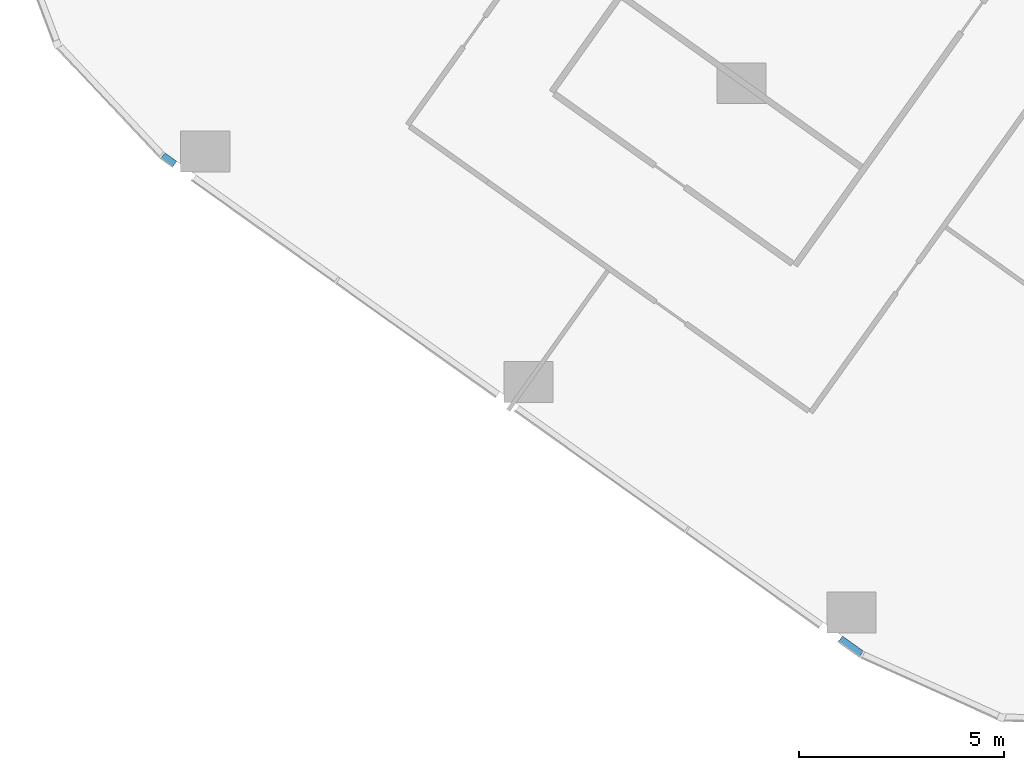
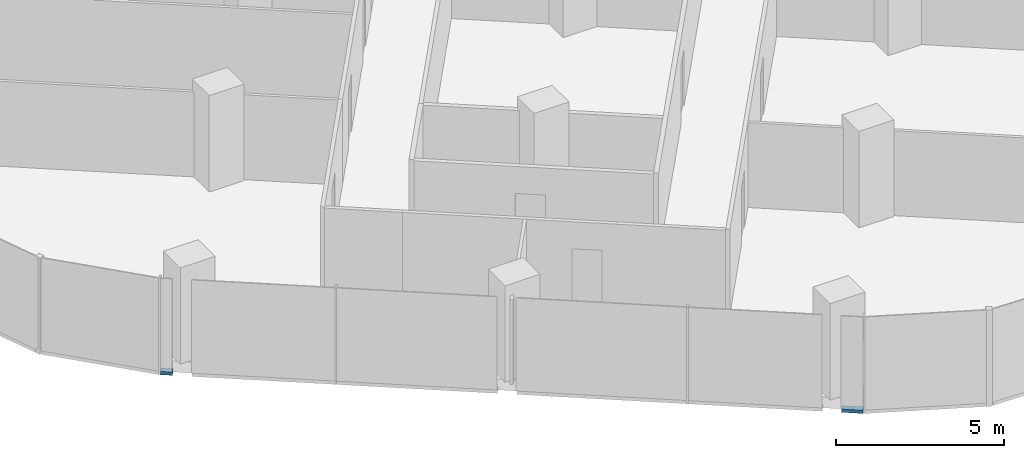
# One storey, part 14 of 31: 2 members, 1 element without a shape of its own.
"""IFC4 building model written with IfcOpenShell, lengths in metres."""

from ifc_helpers import new_model, si_unit, direction, frame, origin, origin_2d, place, context, subcontext, project, spatial, rectangle, extrude, material, material_profile, profile_set, type_object, element, aggregate, save


model = new_model("IFC4")

# Units and contexts
model_context = context("Model", 3, precision=1e-05, world=origin(), true_north=direction((0.0, 1.0)))
body_context = subcontext(model_context, "Body", "Model", "MODEL_VIEW")
ifc_project = project(units=[si_unit("LENGTHUNIT", "METRE"), si_unit("AREAUNIT", "SQUARE_METRE"), si_unit("VOLUMEUNIT", "CUBIC_METRE"), si_unit("PLANEANGLEUNIT", "RADIAN"), si_unit("MASSUNIT", "GRAM", prefix="KILO")], contexts=[model_context])

# Site, building, storey
site_placement = place(None, origin())
site = spatial("IfcSite", under=ifc_project, at=site_placement, CompositionType="ELEMENT")
building_placement = place(site_placement, origin())
building = spatial("IfcBuilding", under=site, at=building_placement, Name="Orlundy Tower", CompositionType="ELEMENT")
storey_placement = place(building_placement, frame((0.0, 0.0, 91.199951171875)))
storey = spatial("IfcBuildingStorey", under=building, at=storey_placement, Name="L22", CompositionType="ELEMENT", Elevation=91.199951171875)

# Curtain wall, members
ifc_material_1 = material(Name="Aluminium bronze anodised", Category="aluminium")
curtain_wall_type = type_object("IfcCurtainWallType", Name="CW1 wall", PredefinedType="NOTDEFINED", material=ifc_material_1)
curtain_wall_placement = place(storey_placement, origin())
curtain_wall = element("IfcCurtainWall", 1, at=curtain_wall_placement, inside=storey, type_object=curtain_wall_type, Name="CW1 run 023", PredefinedType="NOTDEFINED")
ifc_material_2 = material(Name="Aluminium bronze anodised", Category="aluminium")
ifc_material_profile = material_profile(ifc_material_2, rectangle(XDim=0.179931640625, YDim=0.1201171875, at=origin_2d()), Name="CW1 transom 180x120")
ifc_profile_set = profile_set([ifc_material_profile], Name="Aluminium bronze anodised")
member_type = type_object("IfcMemberType", Name="CW1 transom 180x120", PredefinedType="USERDEFINED", material=ifc_profile_set)
member_1_placement = place(storey_placement, frame((-26.6494140625, -55.414794921875, -0.33984375), z_axis=(-0.814281471373, 0.580470227813, 0.0), x_axis=(-0.580470227813, -0.814281471373, 0.0)))
member_1 = element("IfcMember", 2, at=member_1_placement, type_object=member_type, Name="CW1 transom", ObjectType="TRANSOM", PredefinedType="USERDEFINED", context=body_context, shape_type="SweptSolid", body=[
    extrude(rectangle(XDim=0.179931640625, YDim=0.1201171875, at=origin_2d()), origin(), (0.0, 0.0, 1.0), 0.6318359375),
])
member_2_placement = place(storey_placement, frame((-43.430908203125, -43.44580078125, -0.33984375), z_axis=(-0.814290728243, 0.580457242092, 0.0), x_axis=(-0.580457242092, -0.814290728243, 0.0)))
member_2 = element("IfcMember", 3, at=member_2_placement, type_object=member_type, Name="CW1 transom", ObjectType="TRANSOM", PredefinedType="USERDEFINED", context=body_context, shape_type="SweptSolid", body=[
    extrude(rectangle(XDim=0.179931640625, YDim=0.1201171875, at=origin_2d()), origin(), (0.0, 0.0, 1.0), 0.35498046875),
])
aggregate(curtain_wall, [member_1, member_2])

save(model, "model.ifc")
